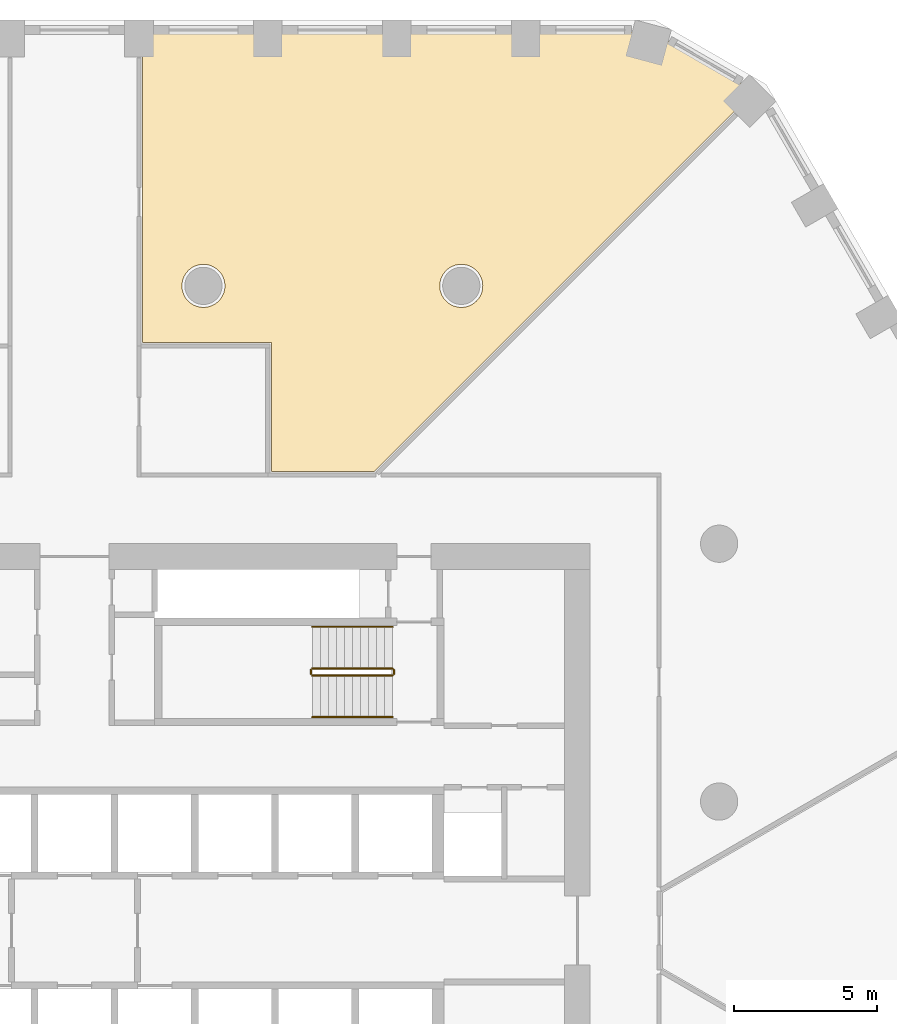
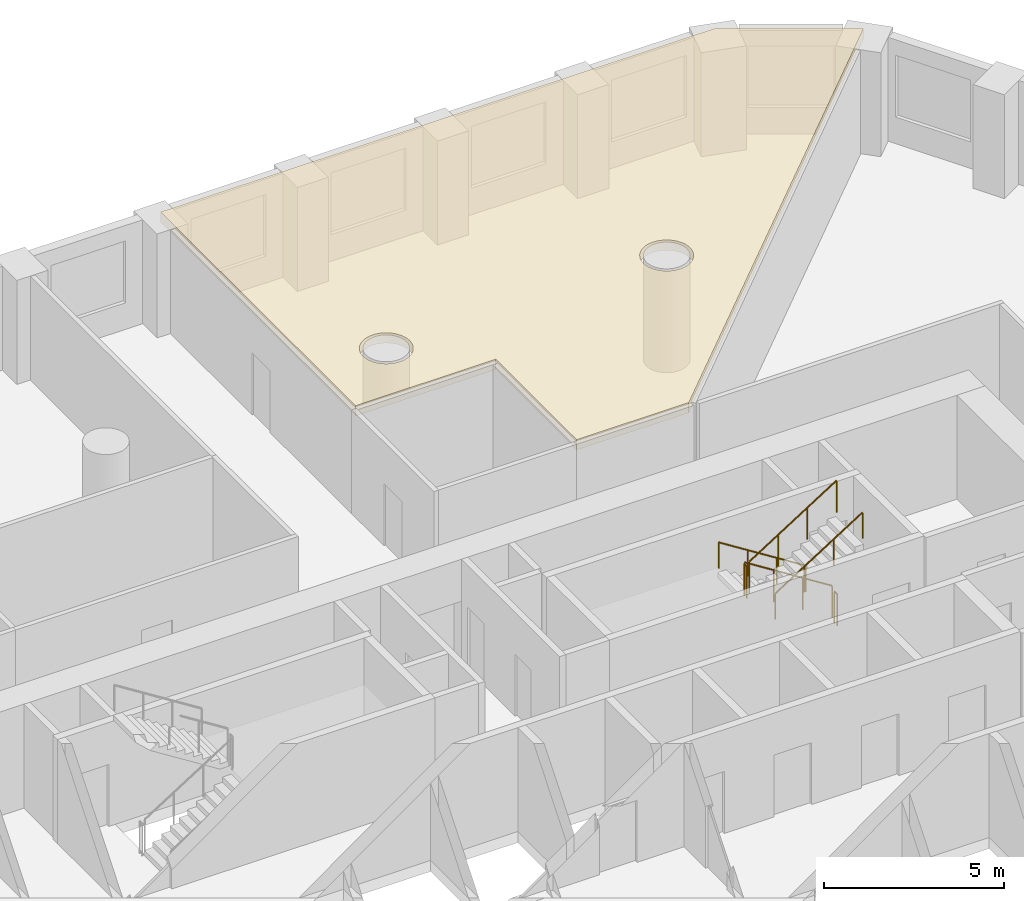
# One storey, part 13 of 14: 6 railings, 1 covering.
"""IFC4 building model written with IfcOpenShell, lengths in metres."""

from ifc_helpers import new_model, si_unit, direction, frame, origin, origin_2d, place, context, subcontext, project, spatial, polyline, circle, outline, extrude, material, layer, layer_set, type_object, element, save


model = new_model("IFC4")

# Units and contexts
model_context = context("Model", 3, precision=1e-05, world=origin(), true_north=direction((0.0, 1.0)))
body_context = subcontext(model_context, "Body", "Model", "MODEL_VIEW")
ifc_project = project(units=[si_unit("LENGTHUNIT", "METRE"), si_unit("AREAUNIT", "SQUARE_METRE"), si_unit("VOLUMEUNIT", "CUBIC_METRE"), si_unit("PLANEANGLEUNIT", "RADIAN"), si_unit("MASSUNIT", "GRAM", prefix="KILO")], contexts=[model_context])

# Site, building, storey
site_placement = place(None, origin())
site = spatial("IfcSite", under=ifc_project, at=site_placement, CompositionType="ELEMENT")
building_placement = place(site_placement, origin())
building = spatial("IfcBuilding", under=site, at=building_placement, Name="Dhurran Vertical Campus", CompositionType="ELEMENT")
storey_placement = place(building_placement, frame((0.0, 0.0, 100.800048828125)))
storey = spatial("IfcBuildingStorey", under=building, at=storey_placement, Name="L24", CompositionType="ELEMENT", Elevation=100.800048828125)

# Railings
ifc_material_1 = material(Name="Stainless steel balustrade", Category="steel")
railing_type_1 = type_object("IfcRailingType", Name="co-RL-GUARD-1100", PredefinedType="GUARDRAIL", material=ifc_material_1)
railing_1_placement = place(storey_placement, frame((11.10009765625, 9.14990234375, 0.17724609375)))
element("IfcRailing", 1, at=railing_1_placement, inside=storey, type_object=railing_type_1, Name="L24 ST2 stair guard 1", PredefinedType="GUARDRAIL", context=body_context, shape_type="SweptSolid", body=[
    extrude(circle(Radius=0.02392578125, at=origin_2d()), frame((0.0, 0.0, 1.076171875), z_axis=(-0.844908973607, 0.0, 0.534910110503), x_axis=(0.0, -1.0, 0.0)), (0.0, 0.0, 1.0), 3.31396484375),
    extrude(circle(Radius=0.02099609375, at=origin_2d()), origin(), (0.0, 0.0, 1.0), 1.052001953125),
    extrude(circle(Radius=0.02099609375, at=origin_2d()), frame((-0.933349609375, 0.0, 0.5908203125)), (0.0, 0.0, 1.0), 1.052001953125),
    extrude(circle(Radius=0.02099609375, at=origin_2d()), frame((-1.86669921875, 0.0, 1.181884765625)), (0.0, 0.0, 1.0), 1.052001953125),
    extrude(circle(Radius=0.02099609375, at=origin_2d()), frame((-2.800048828125, 0.0, 1.772705078125)), (0.0, 0.0, 1.0), 1.052001953125),
])
railing_2_placement = place(storey_placement, frame((8.25, 9.10009765625, 1.949951171875)))
element("IfcRailing", 2, at=railing_2_placement, inside=storey, type_object=railing_type_1, Name="L24 ST2 stair guard 2", PredefinedType="GUARDRAIL", context=body_context, shape_type="SweptSolid", body=[
    extrude(circle(Radius=0.02392578125, at=origin_2d()), frame((0.0, 0.0, 1.076171875), z_axis=(0.0, -1.0, 0.0), x_axis=(1.0, 0.0, 0.0)), (0.0, 0.0, 1.0), 0.150146484375),
    extrude(circle(Radius=0.02099609375, at=origin_2d()), origin(), (0.0, 0.0, 1.0), 1.052001953125),
    extrude(circle(Radius=0.02099609375, at=origin_2d()), frame((0.0, -0.150146484375, 0.0)), (0.0, 0.0, 1.0), 1.052001953125),
])
railing_3_placement = place(storey_placement, frame((8.300048828125, 8.89990234375, 2.127197265625)))
element("IfcRailing", 3, at=railing_3_placement, inside=storey, type_object=railing_type_1, Name="L24 ST2 stair guard 3", PredefinedType="GUARDRAIL", context=body_context, shape_type="SweptSolid", body=[
    extrude(circle(Radius=0.02392578125, at=origin_2d()), frame((0.0, 0.0, 1.076171875), z_axis=(0.844908973607, 0.0, 0.534910110503), x_axis=(0.0, 1.0, 0.0)), (0.0, 0.0, 1.0), 3.31396484375),
    extrude(circle(Radius=0.02099609375, at=origin_2d()), origin(), (0.0, 0.0, 1.0), 1.052001953125),
    extrude(circle(Radius=0.02099609375, at=origin_2d()), frame((0.933349609375, 0.0, 0.5908203125)), (0.0, 0.0, 1.0), 1.052001953125),
    extrude(circle(Radius=0.02099609375, at=origin_2d()), frame((1.86669921875, 0.0, 1.181884765625)), (0.0, 0.0, 1.0), 1.052001953125),
    extrude(circle(Radius=0.02099609375, at=origin_2d()), frame((2.800048828125, 0.0, 1.772705078125)), (0.0, 0.0, 1.0), 1.052001953125),
])
railing_4_placement = place(storey_placement, frame((11.14990234375, 9.10009765625, 0.0)))
element("IfcRailing", 4, at=railing_4_placement, inside=storey, type_object=railing_type_1, Name="L24 ST2 stair guard 4", PredefinedType="GUARDRAIL", context=body_context, shape_type="SweptSolid", body=[
    extrude(circle(Radius=0.02392578125, at=origin_2d()), frame((0.0, 0.0, 1.076171875), z_axis=(0.0, -1.0, 0.0), x_axis=(1.0, 0.0, 0.0)), (0.0, 0.0, 1.0), 0.150146484375),
    extrude(circle(Radius=0.02099609375, at=origin_2d()), origin(), (0.0, 0.0, 1.0), 1.052001953125),
    extrude(circle(Radius=0.02099609375, at=origin_2d()), frame((0.0, -0.150146484375, 0.0)), (0.0, 0.0, 1.0), 1.052001953125),
])
ifc_material_2 = material(Name="Stainless steel handrail", Category="steel")
railing_type_2 = type_object("IfcRailingType", Name="co-RL-HANDRAIL-900", PredefinedType="HANDRAIL", material=ifc_material_2)
railing_5_placement = place(storey_placement, frame((11.10009765625, 10.60009765625, 0.17724609375)))
element("IfcRailing", 5, at=railing_5_placement, inside=storey, type_object=railing_type_2, Name="L24 ST2 stair handrail 1", PredefinedType="HANDRAIL", context=body_context, shape_type="SweptSolid", body=[
    extrude(circle(Radius=0.02392578125, at=origin_2d()), frame((0.0, 0.0, 0.8759765625), z_axis=(-0.844908973607, 0.0, 0.534910110503), x_axis=(0.0, -1.0, 0.0)), (0.0, 0.0, 1.0), 3.31396484375),
    extrude(circle(Radius=0.02099609375, at=origin_2d()), origin(), (0.0, 0.0, 1.0), 0.851806640625),
    extrude(circle(Radius=0.02099609375, at=origin_2d()), frame((-0.933349609375, 0.0, 0.5908203125)), (0.0, 0.0, 1.0), 0.851806640625),
    extrude(circle(Radius=0.02099609375, at=origin_2d()), frame((-1.86669921875, 0.0, 1.181884765625)), (0.0, 0.0, 1.0), 0.851806640625),
    extrude(circle(Radius=0.02099609375, at=origin_2d()), frame((-2.800048828125, 0.0, 1.772705078125)), (0.0, 0.0, 1.0), 0.851806640625),
])
railing_6_placement = place(storey_placement, frame((8.300048828125, 7.449951171875, 2.127197265625)))
element("IfcRailing", 6, at=railing_6_placement, inside=storey, type_object=railing_type_2, Name="L24 ST2 stair handrail 2", PredefinedType="HANDRAIL", context=body_context, shape_type="SweptSolid", body=[
    extrude(circle(Radius=0.02392578125, at=origin_2d()), frame((0.0, 0.0, 0.8759765625), z_axis=(0.844908973607, 0.0, 0.534910110503), x_axis=(0.0, 1.0, 0.0)), (0.0, 0.0, 1.0), 3.31396484375),
    extrude(circle(Radius=0.02099609375, at=origin_2d()), origin(), (0.0, 0.0, 1.0), 0.851806640625),
    extrude(circle(Radius=0.02099609375, at=origin_2d()), frame((0.933349609375, 0.0, 0.5908203125)), (0.0, 0.0, 1.0), 0.851806640625),
    extrude(circle(Radius=0.02099609375, at=origin_2d()), frame((1.86669921875, 0.0, 1.181884765625)), (0.0, 0.0, 1.0), 0.851806640625),
    extrude(circle(Radius=0.02099609375, at=origin_2d()), frame((2.800048828125, 0.0, 1.772705078125)), (0.0, 0.0, 1.0), 0.851806640625),
])

# Covering
ifc_material_3 = material(Name="Mineral fibre ceiling tiles on suspended grid")
ifc_layer = layer(ifc_material_3, 0.35009765625)
ifc_layer_set = layer_set([ifc_layer], Name="Mineral fibre ceiling tiles on suspended grid")
covering_type = type_object("IfcCoveringType", Name="fl-CE-350 suspended ceiling", PredefinedType="CEILING", material=ifc_layer_set)
covering_placement = place(storey_placement, frame((0.0, 0.0, 3.175048828125)))
element("IfcCovering", 7, at=covering_placement, inside=storey, type_object=covering_type, Name="Ceiling 24-15", PredefinedType="CEILING", context=body_context, shape_type="SweptSolid", body=[
    extrude(outline(polyline([(10.467041015625, 16.02001953125), (6.8701171875, 16.02001953125), (6.8701171875, 20.52001953125), (2.3701171875, 20.52001953125), (2.3701171875, 31.360107421875), (20.137939453125, 31.360107421875), (23.73193359375, 29.283935546875), (10.467041015625, 16.02001953125)]), holes=[polyline([(5.080078125, 22.97607421875), (5.030029296875, 23.030029296875), (4.97607421875, 23.080078125), (4.9169921875, 23.1240234375), (4.85400390625, 23.160888671875), (4.787109375, 23.193115234375), (4.718017578125, 23.218017578125), (4.64599609375, 23.236083984375), (4.573974609375, 23.24609375), (4.5, 23.25), (4.426025390625, 23.24609375), (4.35400390625, 23.236083984375), (4.281982421875, 23.218017578125), (4.212890625, 23.193115234375), (4.14599609375, 23.160888671875), (4.0830078125, 23.1240234375), (4.02392578125, 23.080078125), (3.969970703125, 23.030029296875), (3.919921875, 22.97607421875), (3.8759765625, 22.9169921875), (3.839111328125, 22.85400390625), (3.806884765625, 22.787109375), (3.781982421875, 22.718017578125), (3.763916015625, 22.64599609375), (3.75390625, 22.573974609375), (3.75, 22.5), (3.75390625, 22.426025390625), (3.763916015625, 22.35400390625), (3.781982421875, 22.281982421875), (3.806884765625, 22.212890625), (3.839111328125, 22.14599609375), (3.8759765625, 22.0830078125), (3.919921875, 22.02392578125), (3.969970703125, 21.969970703125), (4.02392578125, 21.919921875), (4.0830078125, 21.8759765625), (4.14599609375, 21.839111328125), (4.212890625, 21.806884765625), (4.281982421875, 21.781982421875), (4.35400390625, 21.763916015625), (4.426025390625, 21.75390625), (4.5, 21.75), (4.573974609375, 21.75390625), (4.64599609375, 21.763916015625), (4.718017578125, 21.781982421875), (4.787109375, 21.806884765625), (4.85400390625, 21.839111328125), (4.9169921875, 21.8759765625), (4.97607421875, 21.919921875), (5.030029296875, 21.969970703125), (5.080078125, 22.02392578125), (5.1240234375, 22.0830078125), (5.160888671875, 22.14599609375), (5.193115234375, 22.212890625), (5.218017578125, 22.281982421875), (5.236083984375, 22.35400390625), (5.24609375, 22.426025390625), (5.25, 22.5), (5.24609375, 22.573974609375), (5.236083984375, 22.64599609375), (5.218017578125, 22.718017578125), (5.193115234375, 22.787109375), (5.160888671875, 22.85400390625), (5.1240234375, 22.9169921875), (5.080078125, 22.97607421875)]), polyline([(14.160888671875, 22.85400390625), (14.1240234375, 22.9169921875), (14.080078125, 22.97607421875), (14.030029296875, 23.030029296875), (13.97607421875, 23.080078125), (13.9169921875, 23.1240234375), (13.85400390625, 23.160888671875), (13.787109375, 23.193115234375), (13.718017578125, 23.218017578125), (13.64599609375, 23.236083984375), (13.573974609375, 23.24609375), (13.5, 23.25), (13.426025390625, 23.24609375), (13.35400390625, 23.236083984375), (13.281982421875, 23.218017578125), (13.212890625, 23.193115234375), (13.14599609375, 23.160888671875), (13.0830078125, 23.1240234375), (13.02392578125, 23.080078125), (12.969970703125, 23.030029296875), (12.919921875, 22.97607421875), (12.8759765625, 22.9169921875), (12.839111328125, 22.85400390625), (12.806884765625, 22.787109375), (12.781982421875, 22.718017578125), (12.763916015625, 22.64599609375), (12.75390625, 22.573974609375), (12.75, 22.5), (12.75390625, 22.426025390625), (12.763916015625, 22.35400390625), (12.781982421875, 22.281982421875), (12.806884765625, 22.212890625), (12.839111328125, 22.14599609375), (12.8759765625, 22.0830078125), (12.919921875, 22.02392578125), (12.969970703125, 21.969970703125), (13.02392578125, 21.919921875), (13.0830078125, 21.8759765625), (13.14599609375, 21.839111328125), (13.212890625, 21.806884765625), (13.281982421875, 21.781982421875), (13.35400390625, 21.763916015625), (13.426025390625, 21.75390625), (13.5, 21.75), (13.573974609375, 21.75390625), (13.64599609375, 21.763916015625), (13.718017578125, 21.781982421875), (13.787109375, 21.806884765625), (13.85400390625, 21.839111328125), (13.9169921875, 21.8759765625), (13.97607421875, 21.919921875), (14.030029296875, 21.969970703125), (14.080078125, 22.02392578125), (14.1240234375, 22.0830078125), (14.160888671875, 22.14599609375), (14.193115234375, 22.212890625), (14.218017578125, 22.281982421875), (14.236083984375, 22.35400390625), (14.24609375, 22.426025390625), (14.25, 22.5), (14.24609375, 22.573974609375), (14.236083984375, 22.64599609375), (14.218017578125, 22.718017578125), (14.193115234375, 22.787109375), (14.160888671875, 22.85400390625)])]), origin(), (0.0, 0.0, 1.0), 0.349853515625),
])

save(model, "model.ifc")
